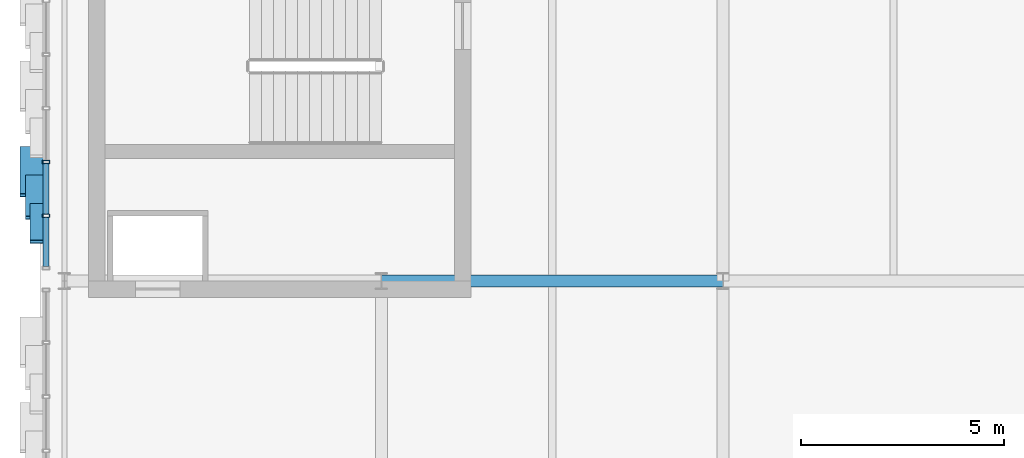
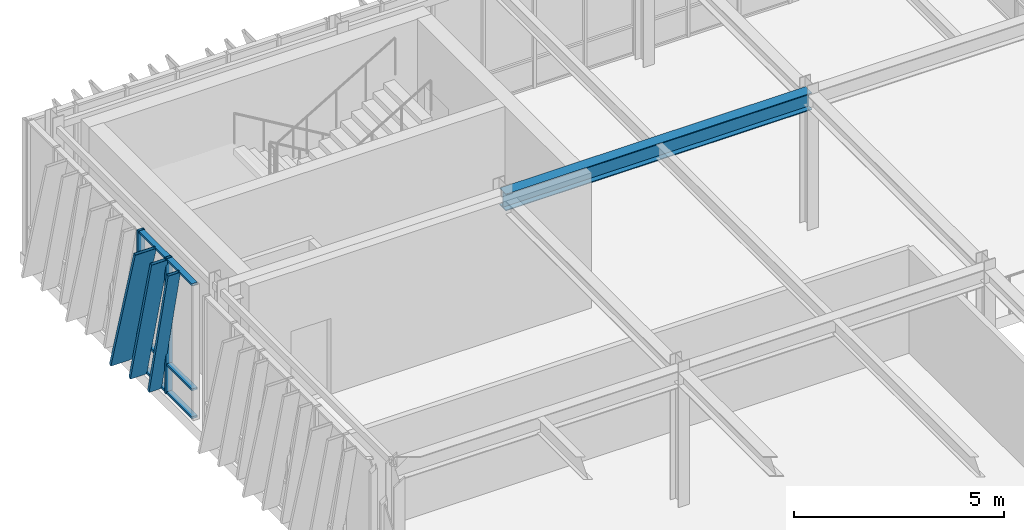
# One storey, part 43 of 127: 11 members, 1 beam, 1 element without a shape of its own.
"""IFC4 building model written with IfcOpenShell, lengths in metres."""

from ifc_helpers import new_model, si_unit, direction, frame, origin, origin_2d, place, context, subcontext, project, spatial, hollow_rectangle, i_section, extrude, material, layer, layer_set, material_profile, profile_set, type_object, element, aggregate, save


model = new_model("IFC4")

# Units and contexts
model_context = context("Model", 3, precision=1e-05, world=origin(), true_north=direction((0.0, 1.0)))
body_context = subcontext(model_context, "Body", "Model", "MODEL_VIEW")
ifc_project = project(units=[si_unit("LENGTHUNIT", "METRE"), si_unit("AREAUNIT", "SQUARE_METRE"), si_unit("VOLUMEUNIT", "CUBIC_METRE"), si_unit("PLANEANGLEUNIT", "RADIAN"), si_unit("MASSUNIT", "GRAM", prefix="KILO")], contexts=[model_context])

# Site, building, storey
site_placement = place(None, origin())
site = spatial("IfcSite", under=ifc_project, at=site_placement, CompositionType="ELEMENT")
building_placement = place(site_placement, origin())
building = spatial("IfcBuilding", under=site, at=building_placement, Name="Zayran Congress Hotel", CompositionType="ELEMENT")
storey_placement = place(building_placement, frame((0.0, 0.0, 10.800048828125)))
storey = spatial("IfcBuildingStorey", under=building, at=storey_placement, Name="L02", CompositionType="ELEMENT", Elevation=10.800048828125)

# Beam
ifc_material_1 = material(Name="Steel S355", Category="steel")
ifc_material_profile_1 = material_profile(ifc_material_1, i_section(OverallWidth=0.300048828125, OverallDepth=0.489990234375, WebThickness=0.011962890625, FlangeThickness=0.02294921875, at=origin_2d()), Name="HEA 500")
ifc_profile_set_1 = profile_set([ifc_material_profile_1], Name="Steel S355")
beam_type = type_object("IfcBeamType", Name="TP-BM-05", PredefinedType="BEAM", material=ifc_profile_set_1)
beam_placement = place(storey_placement, frame((16.800048828125, 109.60009765625, 3.675048828125), z_axis=(1.0, 0.0, 0.0), x_axis=(0.0, 1.0, 0.0)))
element("IfcBeam", 1, at=beam_placement, inside=storey, type_object=beam_type, Name="BM-V1-L02-0691", PredefinedType="BEAM", context=body_context, shape_type="SweptSolid", body=[
    extrude(i_section(OverallWidth=0.300048828125, OverallDepth=0.489990234375, WebThickness=0.011962890625, FlangeThickness=0.02294921875, at=origin_2d()), origin(), (0.0, 0.0, 1.0), 8.39990234375),
])

# Curtain wall, members
ifc_material_2 = material(Name="Anodised aluminium and low-E insulated glass", Category="aluminium")
ifc_layer = layer(ifc_material_2, 0.179931640625)
ifc_layer_set = layer_set([ifc_layer], Name="Anodised aluminium and low-E insulated glass")
curtain_wall_type = type_object("IfcCurtainWallType", Name="CW-V1W-L02-CW-32-7940-3920", PredefinedType="USERDEFINED", material=ifc_layer_set)
curtain_wall_placement = place(storey_placement, origin())
curtain_wall = element("IfcCurtainWall", 2, at=curtain_wall_placement, inside=storey, type_object=curtain_wall_type, Name="CW-V1W-L02-5", ObjectType="CURTAIN WALL", PredefinedType="USERDEFINED")
ifc_material_3 = material(Name="Anodised aluminium framing", Category="aluminium")
ifc_material_profile_2 = material_profile(ifc_material_3, hollow_rectangle(XDim=0.080078125, YDim=0.179931640625, WallThickness=0.0048828125, at=origin_2d()), Name="RHS 180x80x5")
ifc_profile_set_2 = profile_set([ifc_material_profile_2], Name="Anodised aluminium framing")
member_type_1 = type_object("IfcMemberType", Name="TP-CWM-01", PredefinedType="MULLION", material=ifc_profile_set_2)
member_1_placement = place(storey_placement, frame((8.550048828125, 112.526611328125, 0.0), z_axis=(0.0, 0.0, 1.0), x_axis=(0.0, 1.0, 0.0)))
member_1 = element("IfcMember", 3, at=member_1_placement, type_object=member_type_1, Name="CW-V1W-L02-5-M04", PredefinedType="MULLION", context=body_context, shape_type="SweptSolid", body=[
    extrude(hollow_rectangle(XDim=0.080078125, YDim=0.179931640625, WallThickness=0.0048828125, at=origin_2d()), origin(), (0.0, 0.0, 1.0), 3.919921875),
])
member_2_placement = place(storey_placement, frame((8.550048828125, 111.203369140625, 0.0), z_axis=(0.0, 0.0, 1.0), x_axis=(0.0, 1.0, 0.0)))
member_2 = element("IfcMember", 4, at=member_2_placement, type_object=member_type_1, Name="CW-V1W-L02-5-M05", PredefinedType="MULLION", context=body_context, shape_type="SweptSolid", body=[
    extrude(hollow_rectangle(XDim=0.080078125, YDim=0.179931640625, WallThickness=0.0048828125, at=origin_2d()), origin(), (0.0, 0.0, 1.0), 3.919921875),
])
ifc_material_profile_3 = material_profile(ifc_material_3, hollow_rectangle(XDim=0.06005859375, YDim=0.14990234375, WallThickness=0.00390625, at=origin_2d()), Name="RHS 150x60x4")
ifc_profile_set_3 = profile_set([ifc_material_profile_3], Name="Anodised aluminium framing")
member_type_2 = type_object("IfcMemberType", Name="TP-CWT-01", PredefinedType="USERDEFINED", material=ifc_profile_set_3)
member_3_placement = place(storey_placement, frame((8.550048828125, 112.48681640625, 0.030029296875), z_axis=(0.0, -1.0, 0.0), x_axis=(0.0, 0.0, 1.0)))
member_3 = element("IfcMember", 5, at=member_3_placement, type_object=member_type_2, Name="CW-V1W-L02-5-T04-0", ObjectType="TRANSOM", PredefinedType="USERDEFINED", context=body_context, shape_type="SweptSolid", body=[
    extrude(hollow_rectangle(XDim=0.06005859375, YDim=0.14990234375, WallThickness=0.00390625, at=origin_2d()), origin(), (0.0, 0.0, 1.0), 1.243408203125),
])
member_4_placement = place(storey_placement, frame((8.550048828125, 112.48681640625, 0.83984375), z_axis=(0.0, -1.0, 0.0), x_axis=(0.0, 0.0, 1.0)))
member_4 = element("IfcMember", 6, at=member_4_placement, type_object=member_type_2, Name="CW-V1W-L02-5-T04-1", ObjectType="TRANSOM", PredefinedType="USERDEFINED", context=body_context, shape_type="SweptSolid", body=[
    extrude(hollow_rectangle(XDim=0.06005859375, YDim=0.14990234375, WallThickness=0.00390625, at=origin_2d()), origin(), (0.0, 0.0, 1.0), 1.243408203125),
])
member_5_placement = place(storey_placement, frame((8.550048828125, 112.48681640625, 3.889892578125), z_axis=(0.0, -1.0, 0.0), x_axis=(0.0, 0.0, 1.0)))
member_5 = element("IfcMember", 7, at=member_5_placement, type_object=member_type_2, Name="CW-V1W-L02-5-T04-2", ObjectType="TRANSOM", PredefinedType="USERDEFINED", context=body_context, shape_type="SweptSolid", body=[
    extrude(hollow_rectangle(XDim=0.06005859375, YDim=0.14990234375, WallThickness=0.00390625, at=origin_2d()), origin(), (0.0, 0.0, 1.0), 1.243408203125),
])
member_6_placement = place(storey_placement, frame((8.550048828125, 111.163330078125, 0.030029296875), z_axis=(0.0, -1.0, 0.0), x_axis=(0.0, 0.0, 1.0)))
member_6 = element("IfcMember", 8, at=member_6_placement, type_object=member_type_2, Name="CW-V1W-L02-5-T05-0", ObjectType="TRANSOM", PredefinedType="USERDEFINED", context=body_context, shape_type="SweptSolid", body=[
    extrude(hollow_rectangle(XDim=0.06005859375, YDim=0.14990234375, WallThickness=0.00390625, at=origin_2d()), origin(), (0.0, 0.0, 1.0), 1.203369140625),
])
member_7_placement = place(storey_placement, frame((8.550048828125, 111.163330078125, 0.83984375), z_axis=(0.0, -1.0, 0.0), x_axis=(0.0, 0.0, 1.0)))
member_7 = element("IfcMember", 9, at=member_7_placement, type_object=member_type_2, Name="CW-V1W-L02-5-T05-1", ObjectType="TRANSOM", PredefinedType="USERDEFINED", context=body_context, shape_type="SweptSolid", body=[
    extrude(hollow_rectangle(XDim=0.06005859375, YDim=0.14990234375, WallThickness=0.00390625, at=origin_2d()), origin(), (0.0, 0.0, 1.0), 1.203369140625),
])
member_8_placement = place(storey_placement, frame((8.550048828125, 111.163330078125, 3.889892578125), z_axis=(0.0, -1.0, 0.0), x_axis=(0.0, 0.0, 1.0)))
member_8 = element("IfcMember", 10, at=member_8_placement, type_object=member_type_2, Name="CW-V1W-L02-5-T05-2", ObjectType="TRANSOM", PredefinedType="USERDEFINED", context=body_context, shape_type="SweptSolid", body=[
    extrude(hollow_rectangle(XDim=0.06005859375, YDim=0.14990234375, WallThickness=0.00390625, at=origin_2d()), origin(), (0.0, 0.0, 1.0), 1.203369140625),
])
ifc_material_4 = material(Name="Warm bronze anodised aluminium", Category="aluminium")
ifc_material_profile_4 = material_profile(ifc_material_4, hollow_rectangle(XDim=0.080078125, YDim=0.580078125, WallThickness=0.006103515625, at=origin_2d()), Name="RHS 580x80x6")
ifc_profile_set_4 = profile_set([ifc_material_profile_4], Name="Warm bronze anodised aluminium")
member_type_3 = type_object("IfcMemberType", Name="TP-RFN-01", PredefinedType="MULLION", material=ifc_profile_set_4)
member_9_placement = place(storey_placement, frame((8.199951171875, 112.8701171875, 0.0), z_axis=(0.0, -0.284070030724, 0.958803534435), x_axis=(0.0, 0.958803534435, 0.284070030724)))
member_9 = element("IfcMember", 11, at=member_9_placement, type_object=member_type_3, Name="Slanting Reed Mullion CW-32-07", PredefinedType="MULLION", context=body_context, shape_type="SweptSolid", body=[
    extrude(hollow_rectangle(XDim=0.080078125, YDim=0.580078125, WallThickness=0.006103515625, at=origin_2d()), origin(), (0.0, 0.0, 1.0), 4.08837890625),
])
ifc_material_profile_5 = material_profile(ifc_material_4, hollow_rectangle(XDim=0.080078125, YDim=0.449951171875, WallThickness=0.006103515625, at=origin_2d()), Name="RHS 450x80x6")
ifc_profile_set_5 = profile_set([ifc_material_profile_5], Name="Warm bronze anodised aluminium")
member_type_4 = type_object("IfcMemberType", Name="TP-RFN-02", PredefinedType="MULLION", material=ifc_profile_set_5)
member_10_placement = place(storey_placement, frame((8.264892578125, 112.169921875, 0.0), z_axis=(0.0, -0.25035943501, 0.968152959662), x_axis=(0.0, 0.968152959662, 0.25035943501)))
member_10 = element("IfcMember", 12, at=member_10_placement, type_object=member_type_4, Name="Slanting Reed Mullion CW-32-08", PredefinedType="MULLION", context=body_context, shape_type="SweptSolid", body=[
    extrude(hollow_rectangle(XDim=0.080078125, YDim=0.449951171875, WallThickness=0.006103515625, at=origin_2d()), origin(), (0.0, 0.0, 1.0), 4.048828125),
])
ifc_material_profile_6 = material_profile(ifc_material_4, hollow_rectangle(XDim=0.080078125, YDim=0.340087890625, WallThickness=0.006103515625, at=origin_2d()), Name="RHS 340x80x6")
ifc_profile_set_6 = profile_set([ifc_material_profile_6], Name="Warm bronze anodised aluminium")
member_type_5 = type_object("IfcMemberType", Name="TP-RFN-03", PredefinedType="MULLION", material=ifc_profile_set_6)
member_11_placement = place(storey_placement, frame((8.320068359375, 111.469970703125, 0.0), z_axis=(0.0, -0.224961443605, 0.974367666177), x_axis=(0.0, 0.974367666177, 0.224961443605)))
member_11 = element("IfcMember", 13, at=member_11_placement, type_object=member_type_5, Name="Slanting Reed Mullion CW-32-09", PredefinedType="MULLION", context=body_context, shape_type="SweptSolid", body=[
    extrude(hollow_rectangle(XDim=0.080078125, YDim=0.340087890625, WallThickness=0.006103515625, at=origin_2d()), origin(), (0.0, 0.0, 1.0), 4.02294921875),
])
aggregate(curtain_wall, [member_1, member_2, member_3, member_4, member_5, member_6, member_7, member_8, member_9, member_10, member_11])

save(model, "model.ifc")
